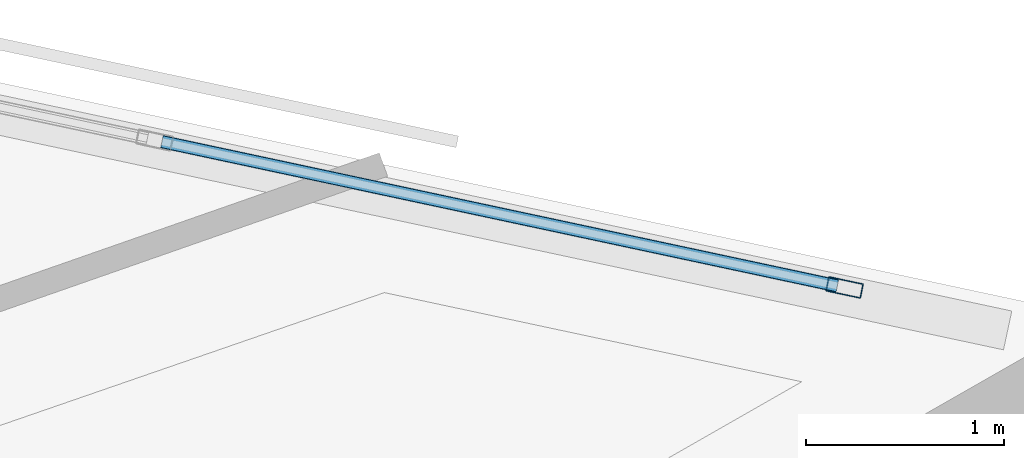
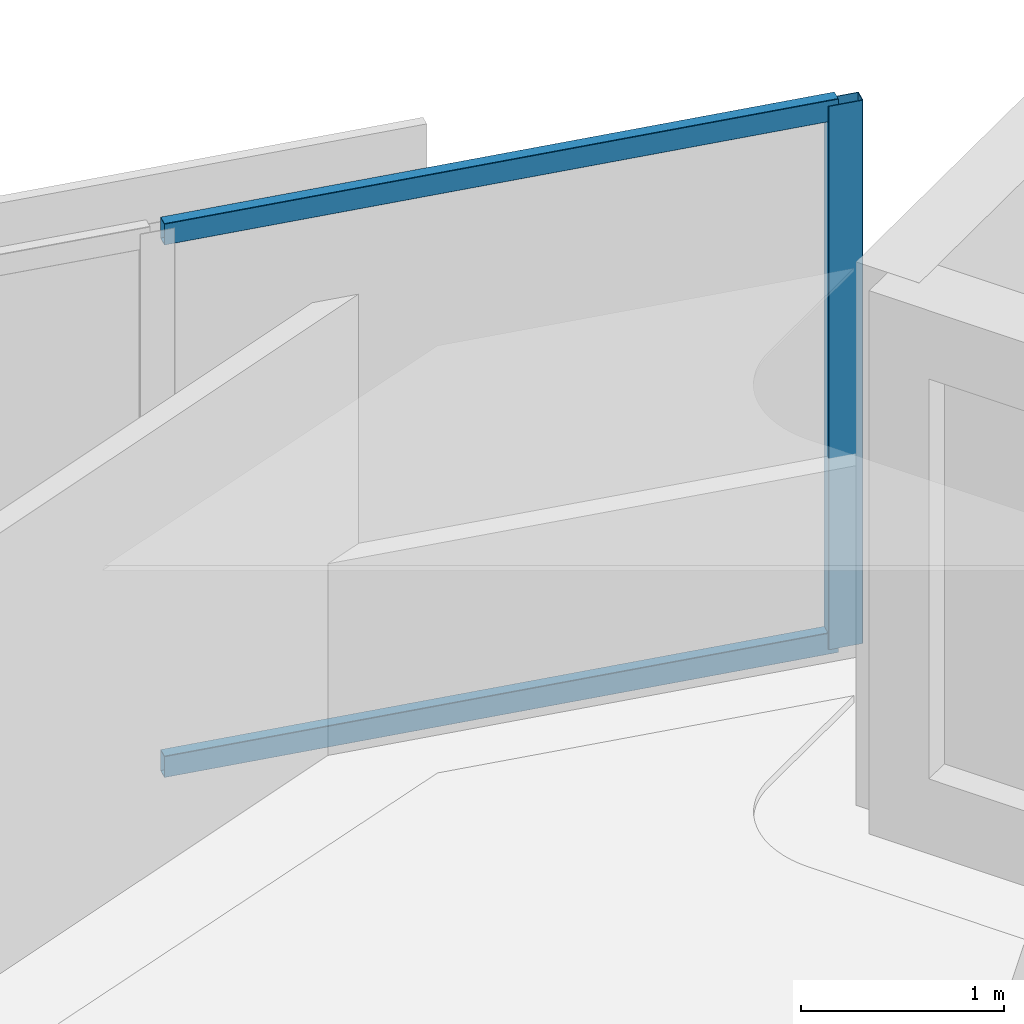
# One storey, part 6 of 14: 3 members, 1 element without a shape of its own.
"""IFC4 building model written with IfcOpenShell, lengths in metres."""

from ifc_helpers import new_model, si_unit, direction, frame, origin, origin_2d, place, context, subcontext, project, spatial, hollow_rectangle, extrude, material, material_profile, profile_set, type_object, element, aggregate, save


model = new_model("IFC4")

# Units and contexts
model_context = context("Model", 3, precision=1e-05, world=origin(), true_north=direction((0.0, 1.0)))
body_context = subcontext(model_context, "Body", "Model", "MODEL_VIEW")
ifc_project = project(units=[si_unit("LENGTHUNIT", "METRE"), si_unit("AREAUNIT", "SQUARE_METRE"), si_unit("VOLUMEUNIT", "CUBIC_METRE"), si_unit("PLANEANGLEUNIT", "RADIAN"), si_unit("MASSUNIT", "GRAM", prefix="KILO")], contexts=[model_context])

# Site, building, storey
site_placement = place(None, origin())
site = spatial("IfcSite", under=ifc_project, at=site_placement, CompositionType="ELEMENT")
building_placement = place(site_placement, origin())
building = spatial("IfcBuilding", under=site, at=building_placement, Name="Narakoshi Arena Tower", CompositionType="ELEMENT")
storey_placement = place(building_placement, frame((0.0, 0.0, 218.5)))
storey = spatial("IfcBuildingStorey", under=building, at=storey_placement, Name="L59", CompositionType="ELEMENT", Elevation=218.5)

# Curtain wall, members
ifc_material = material(Name="Anodised bronze aluminium 6063-T6", Category="aluminium")
curtain_wall_type = type_object("IfcCurtainWallType", Name="CW-HYP-MID", PredefinedType="NOTDEFINED", material=ifc_material)
curtain_wall_placement = place(storey_placement, origin())
curtain_wall = element("IfcCurtainWall", 1, at=curtain_wall_placement, inside=storey, type_object=curtain_wall_type, Name="L59 Folded Hypotenuse Curtain Wall 1-1", PredefinedType="NOTDEFINED")
ifc_material_profile_1 = material_profile(ifc_material, hollow_rectangle(XDim=0.074951171875, YDim=0.179931640625, WallThickness=0.00390625, OuterFilletRadius=0.0048828125, at=origin_2d()), Name="MUL180x75x4")
ifc_profile_set_1 = profile_set([ifc_material_profile_1], Name="Anodised bronze aluminium 6063-T6")
member_type_1 = type_object("IfcMemberType", Name="MEM-MUL-180", PredefinedType="MULLION", material=ifc_profile_set_1)
member_1_placement = place(storey_placement, frame((115.57373046875, 56.938232421875, 0.0), z_axis=(0.0, 0.0, 1.0), x_axis=(-0.208899163248, -0.977937185914, 0.0)))
member_1 = element("IfcMember", 2, at=member_1_placement, type_object=member_type_1, Name="CW-02 mullion 1", PredefinedType="MULLION", context=body_context, shape_type="SweptSolid", body=[
    extrude(hollow_rectangle(XDim=0.074951171875, YDim=0.179931640625, WallThickness=0.00390625, OuterFilletRadius=0.0048828125, at=origin_2d()), origin(), (0.0, 0.0, 1.0), 3.260009765625),
])
ifc_material_profile_2 = material_profile(ifc_material, hollow_rectangle(XDim=0.06494140625, YDim=0.1298828125, WallThickness=0.00390625, OuterFilletRadius=0.0048828125, at=origin_2d()), Name="TRN130x65x4")
ifc_profile_set_2 = profile_set([ifc_material_profile_2], Name="Anodised bronze aluminium 6063-T6")
member_type_2 = type_object("IfcMemberType", Name="MEM-TRN-130", PredefinedType="USERDEFINED", material=ifc_profile_set_2)
member_2_placement = place(storey_placement, frame((115.537109375, 56.946044921875, 0.032470703125), z_axis=(-0.977942813259, 0.20887281775, 0.0), x_axis=(-0.20887281775, -0.977942813259, 0.0)))
member_2 = element("IfcMember", 3, at=member_2_placement, type_object=member_type_2, Name="CW-02 transom 1.1", ObjectType="TRANSOM", PredefinedType="USERDEFINED", context=body_context, shape_type="SweptSolid", body=[
    extrude(hollow_rectangle(XDim=0.06494140625, YDim=0.1298828125, WallThickness=0.00390625, OuterFilletRadius=0.0048828125, at=origin_2d()), origin(), (0.0, 0.0, 1.0), 3.480712890625),
])
member_3_placement = place(storey_placement, frame((115.537109375, 56.946044921875, 3.2275390625), z_axis=(-0.977942813259, 0.20887281775, 0.0), x_axis=(-0.20887281775, -0.977942813259, 0.0)))
member_3 = element("IfcMember", 4, at=member_3_placement, type_object=member_type_2, Name="CW-02 transom 1.2", ObjectType="TRANSOM", PredefinedType="USERDEFINED", context=body_context, shape_type="SweptSolid", body=[
    extrude(hollow_rectangle(XDim=0.06494140625, YDim=0.1298828125, WallThickness=0.00390625, OuterFilletRadius=0.0048828125, at=origin_2d()), origin(), (0.0, 0.0, 1.0), 3.480712890625),
])
aggregate(curtain_wall, [member_1, member_2, member_3])

save(model, "model.ifc")
